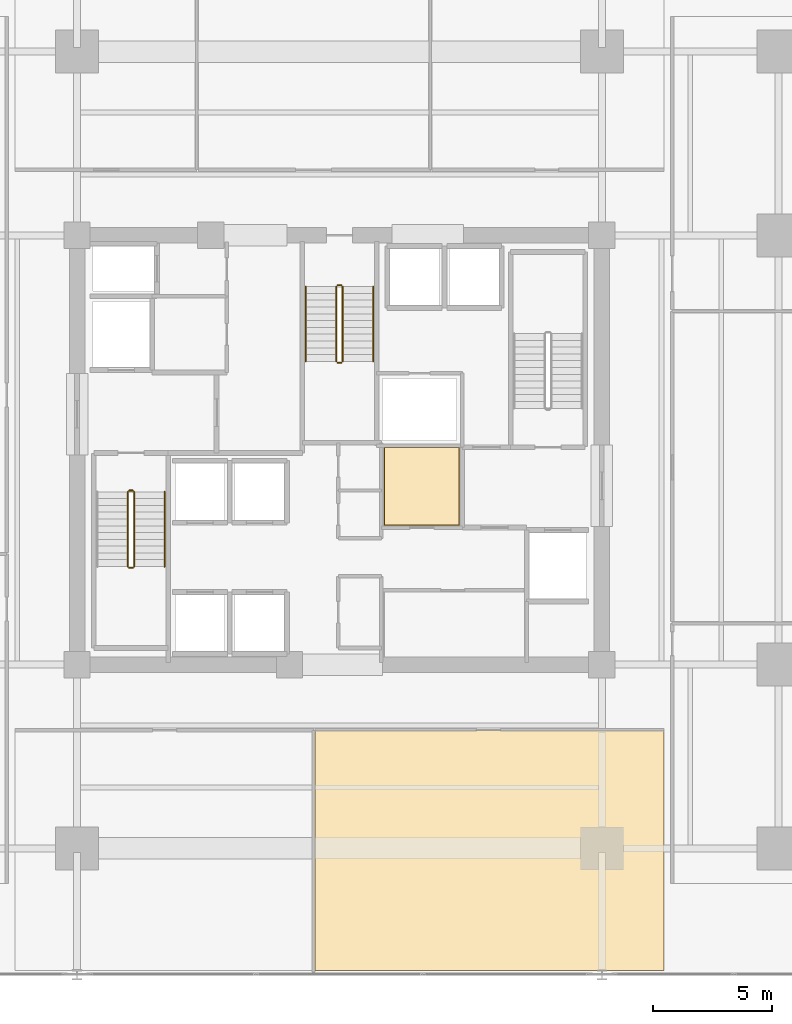
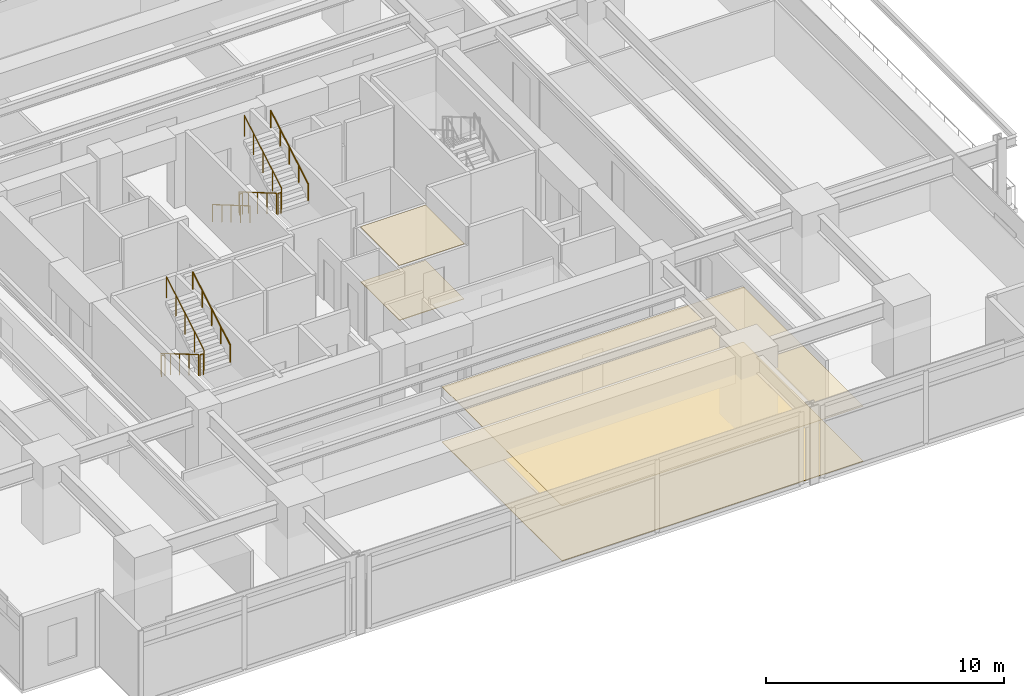
# One storey, part 20 of 22: 11 railings, 4 coverings.
"""IFC4 building model written with IfcOpenShell, lengths in metres."""

from ifc_helpers import new_model, si_unit, direction, frame, origin, origin_2d, place, context, subcontext, project, spatial, polyline, circle, outline, extrude, material, layer, layer_set, type_object, element, save


model = new_model("IFC4")

# Units and contexts
model_context = context("Model", 3, precision=1e-05, world=origin(), true_north=direction((0.0, 1.0)))
body_context = subcontext(model_context, "Body", "Model", "MODEL_VIEW")
ifc_project = project(units=[si_unit("LENGTHUNIT", "METRE"), si_unit("AREAUNIT", "SQUARE_METRE"), si_unit("VOLUMEUNIT", "CUBIC_METRE"), si_unit("PLANEANGLEUNIT", "RADIAN"), si_unit("MASSUNIT", "GRAM", prefix="KILO")], contexts=[model_context])

# Site, building, storey
site_placement = place(None, origin())
site = spatial("IfcSite", under=ifc_project, at=site_placement, CompositionType="ELEMENT")
building_placement = place(site_placement, origin())
building = spatial("IfcBuilding", under=site, at=building_placement, Name="Kovane Verandah Tower", CompositionType="ELEMENT")
storey_placement = place(building_placement, frame((0.0, 0.0, 43.60009765625)))
storey = spatial("IfcBuildingStorey", under=building, at=storey_placement, Name="L09", CompositionType="ELEMENT", Elevation=43.60009765625)

# Coverings
ifc_material_1 = material(Name="Perforated Acoustic Mineral-Fibre Ceiling Tile", Category="gypsum")
ifc_layer_1 = layer(ifc_material_1, 0.02490234375)
ifc_layer_set_1 = layer_set([ifc_layer_1], Name="Perforated Acoustic Mineral-Fibre Ceiling Tile")
covering_type_1 = type_object("IfcCoveringType", Name="CV-CEIL-25", PredefinedType="CEILING", material=ifc_layer_set_1)
covering_1_placement = place(storey_placement, frame((0.0, 0.0, 2.824951171875)))
element("IfcCovering", 1, at=covering_1_placement, inside=storey, type_object=covering_type_1, Name="L09 Document Archive Room Acoustic Ceiling", PredefinedType="CEILING", context=body_context, shape_type="SweptSolid", body=[
    extrude(outline(polyline([(41.864990234375, 24.3349609375), (45.034912109375, 24.3349609375), (45.034912109375, 27.614990234375), (41.864990234375, 27.614990234375), (41.864990234375, 24.3349609375)])), origin(), (0.0, 0.0, 1.0), 0.02490234375),
])
covering_2_placement = place(storey_placement, frame((0.0, 0.0, 2.824951171875)))
element("IfcCovering", 2, at=covering_2_placement, inside=storey, type_object=covering_type_1, Name="L09 Breakout Pantry S2 Acoustic Ceiling", PredefinedType="CEILING", context=body_context, shape_type="SweptSolid", body=[
    extrude(outline(polyline([(38.98193359375, 5.677001953125), (53.60009765625, 5.677001953125), (53.60009765625, 15.75), (38.98193359375, 15.75), (38.98193359375, 5.677001953125)])), origin(), (0.0, 0.0, 1.0), 0.02490234375),
])
ifc_material_2 = material(Name="Polished Terrazzo and Raised-Access Carpet Tile Finish", Category="concrete")
ifc_layer_2 = layer(ifc_material_2, 0.030029296875)
ifc_layer_set_2 = layer_set([ifc_layer_2], Name="Polished Terrazzo and Raised-Access Carpet Tile Finish")
covering_type_2 = type_object("IfcCoveringType", Name="CV-FLOR-30", PredefinedType="FLOORING", material=ifc_layer_set_2)
covering_3_placement = place(storey_placement, origin())
element("IfcCovering", 3, at=covering_3_placement, inside=storey, type_object=covering_type_2, Name="L09 Document Archive Room Floor Finish", PredefinedType="FLOORING", context=body_context, shape_type="SweptSolid", body=[
    extrude(outline(polyline([(41.8798828125, 24.35009765625), (45.02001953125, 24.35009765625), (45.02001953125, 27.60009765625), (41.8798828125, 27.60009765625), (41.8798828125, 24.35009765625)])), origin(), (0.0, 0.0, 1.0), 0.02978515625),
])
covering_4_placement = place(storey_placement, origin())
element("IfcCovering", 4, at=covering_4_placement, inside=storey, type_object=covering_type_2, Name="L09 Breakout Pantry S2 Floor Finish", PredefinedType="FLOORING", context=body_context, shape_type="SweptSolid", body=[
    extrude(outline(polyline([(38.98193359375, 5.677001953125), (53.60009765625, 5.677001953125), (53.60009765625, 15.75), (38.98193359375, 15.75), (38.98193359375, 5.677001953125)])), origin(), (0.0, 0.0, 1.0), 0.02978515625),
])

# Railings
ifc_material_3 = material(Name="Brushed Stainless Steel Handrail", Category="steel")
railing_type_1 = type_object("IfcRailingType", Name="RL-HAND-920", PredefinedType="HANDRAIL", material=ifc_material_3)
railing_1_placement = place(storey_placement, frame((32.669921875, 22.614990234375, 2.16650390625)))
element("IfcRailing", 5, at=railing_1_placement, inside=storey, type_object=railing_type_1, Name="L09 ST-01 stair handrail 2", PredefinedType="HANDRAIL", context=body_context, shape_type="SweptSolid", body=[
    extrude(circle(Radius=0.02392578125, at=origin_2d()), frame((0.0, 0.0, 0.8759765625), z_axis=(0.0, 0.863210265497, 0.504844567704), x_axis=(-1.0, 0.0, 0.0)), (0.0, 0.0, 1.0), 3.6318359375),
    extrude(circle(Radius=0.02099609375, at=origin_2d()), origin(), (0.0, 0.0, 1.0), 0.851806640625),
    extrude(circle(Radius=0.02099609375, at=origin_2d()), frame((0.0, 0.78369140625, 0.45849609375)), (0.0, 0.0, 1.0), 0.851806640625),
    extrude(circle(Radius=0.02099609375, at=origin_2d()), frame((0.0, 1.5673828125, 0.916748046875)), (0.0, 0.0, 1.0), 0.851806640625),
    extrude(circle(Radius=0.02099609375, at=origin_2d()), frame((0.0, 2.351318359375, 1.375)), (0.0, 0.0, 1.0), 0.851806640625),
    extrude(circle(Radius=0.02099609375, at=origin_2d()), frame((0.0, 3.135009765625, 1.83349609375)), (0.0, 0.0, 1.0), 0.851806640625),
])
railing_2_placement = place(storey_placement, frame((38.590087890625, 34.35009765625, 0.16650390625)))
element("IfcRailing", 6, at=railing_2_placement, inside=storey, type_object=railing_type_1, Name="L09 ST-03 stair handrail 1", PredefinedType="HANDRAIL", context=body_context, shape_type="SweptSolid", body=[
    extrude(circle(Radius=0.02392578125, at=origin_2d()), frame((0.0, 0.0, 0.8759765625), z_axis=(0.0, -0.863210265497, 0.504844567704), x_axis=(1.0, 0.0, 0.0)), (0.0, 0.0, 1.0), 3.6318359375),
    extrude(circle(Radius=0.02099609375, at=origin_2d()), origin(), (0.0, 0.0, 1.0), 0.851806640625),
    extrude(circle(Radius=0.02099609375, at=origin_2d()), frame((0.0, -0.78369140625, 0.45849609375)), (0.0, 0.0, 1.0), 0.851806640625),
    extrude(circle(Radius=0.02099609375, at=origin_2d()), frame((0.0, -1.5673828125, 0.916748046875)), (0.0, 0.0, 1.0), 0.851806640625),
    extrude(circle(Radius=0.02099609375, at=origin_2d()), frame((0.0, -2.351318359375, 1.375)), (0.0, 0.0, 1.0), 0.851806640625),
    extrude(circle(Radius=0.02099609375, at=origin_2d()), frame((0.0, -3.135009765625, 1.83349609375)), (0.0, 0.0, 1.0), 0.851806640625),
])
railing_3_placement = place(storey_placement, frame((41.409912109375, 31.215087890625, 2.16650390625)))
element("IfcRailing", 7, at=railing_3_placement, inside=storey, type_object=railing_type_1, Name="L09 ST-03 stair handrail 2", PredefinedType="HANDRAIL", context=body_context, shape_type="SweptSolid", body=[
    extrude(circle(Radius=0.02392578125, at=origin_2d()), frame((0.0, 0.0, 0.8759765625), z_axis=(0.0, 0.863210265497, 0.504844567704), x_axis=(-1.0, 0.0, 0.0)), (0.0, 0.0, 1.0), 3.6318359375),
    extrude(circle(Radius=0.02099609375, at=origin_2d()), origin(), (0.0, 0.0, 1.0), 0.851806640625),
    extrude(circle(Radius=0.02099609375, at=origin_2d()), frame((0.0, 0.78369140625, 0.45849609375)), (0.0, 0.0, 1.0), 0.851806640625),
    extrude(circle(Radius=0.02099609375, at=origin_2d()), frame((0.0, 1.5673828125, 0.916748046875)), (0.0, 0.0, 1.0), 0.851806640625),
    extrude(circle(Radius=0.02099609375, at=origin_2d()), frame((0.0, 2.351318359375, 1.375)), (0.0, 0.0, 1.0), 0.851806640625),
    extrude(circle(Radius=0.02099609375, at=origin_2d()), frame((0.0, 3.135009765625, 1.83349609375)), (0.0, 0.0, 1.0), 0.851806640625),
])
ifc_material_4 = material(Name="Painted Steel Stairwell Guardrail", Category="steel")
railing_type_2 = type_object("IfcRailingType", Name="RL-STGUARD-1120", PredefinedType="GUARDRAIL", material=ifc_material_4)
railing_4_placement = place(storey_placement, frame((31.1298828125, 25.75, 0.16650390625)))
element("IfcRailing", 8, at=railing_4_placement, inside=storey, type_object=railing_type_2, Name="L09 ST-01 stair guard 1", PredefinedType="GUARDRAIL", context=body_context, shape_type="SweptSolid", body=[
    extrude(circle(Radius=0.02392578125, at=origin_2d()), frame((0.0, 0.0, 1.076171875), z_axis=(0.0, -0.863210265497, 0.504844567704), x_axis=(1.0, 0.0, 0.0)), (0.0, 0.0, 1.0), 3.6318359375),
    extrude(circle(Radius=0.02099609375, at=origin_2d()), origin(), (0.0, 0.0, 1.0), 1.052001953125),
    extrude(circle(Radius=0.02099609375, at=origin_2d()), frame((0.0, -0.78369140625, 0.45849609375)), (0.0, 0.0, 1.0), 1.052001953125),
    extrude(circle(Radius=0.02099609375, at=origin_2d()), frame((0.0, -1.5673828125, 0.916748046875)), (0.0, 0.0, 1.0), 1.052001953125),
    extrude(circle(Radius=0.02099609375, at=origin_2d()), frame((0.0, -2.351318359375, 1.375)), (0.0, 0.0, 1.0), 1.052001953125),
    extrude(circle(Radius=0.02099609375, at=origin_2d()), frame((0.0, -3.135009765625, 1.83349609375)), (0.0, 0.0, 1.0), 1.052001953125),
])
railing_5_placement = place(storey_placement, frame((31.179931640625, 22.56494140625, 2.0)))
element("IfcRailing", 9, at=railing_5_placement, inside=storey, type_object=railing_type_2, Name="L09 ST-01 stair guard 2", PredefinedType="GUARDRAIL", context=body_context, shape_type="SweptSolid", body=[
    extrude(circle(Radius=0.02392578125, at=origin_2d()), frame((0.0, 0.0, 1.076171875), z_axis=(1.0, 0.0, 0.0), x_axis=(0.0, 1.0, 0.0)), (0.0, 0.0, 1.0), 0.16015625),
    extrude(circle(Radius=0.02099609375, at=origin_2d()), origin(), (0.0, 0.0, 1.0), 1.052001953125),
    extrude(circle(Radius=0.02099609375, at=origin_2d()), frame((0.16015625, 0.0, 0.0)), (0.0, 0.0, 1.0), 1.052001953125),
])
railing_6_placement = place(storey_placement, frame((31.389892578125, 22.614990234375, 2.16650390625)))
element("IfcRailing", 10, at=railing_6_placement, inside=storey, type_object=railing_type_2, Name="L09 ST-01 stair guard 3", PredefinedType="GUARDRAIL", context=body_context, shape_type="SweptSolid", body=[
    extrude(circle(Radius=0.02392578125, at=origin_2d()), frame((0.0, 0.0, 1.076171875), z_axis=(0.0, 0.863210265497, 0.504844567704), x_axis=(-1.0, 0.0, 0.0)), (0.0, 0.0, 1.0), 3.6318359375),
    extrude(circle(Radius=0.02099609375, at=origin_2d()), origin(), (0.0, 0.0, 1.0), 1.052001953125),
    extrude(circle(Radius=0.02099609375, at=origin_2d()), frame((0.0, 0.78369140625, 0.45849609375)), (0.0, 0.0, 1.0), 1.052001953125),
    extrude(circle(Radius=0.02099609375, at=origin_2d()), frame((0.0, 1.5673828125, 0.916748046875)), (0.0, 0.0, 1.0), 1.052001953125),
    extrude(circle(Radius=0.02099609375, at=origin_2d()), frame((0.0, 2.351318359375, 1.375)), (0.0, 0.0, 1.0), 1.052001953125),
    extrude(circle(Radius=0.02099609375, at=origin_2d()), frame((0.0, 3.135009765625, 1.83349609375)), (0.0, 0.0, 1.0), 1.052001953125),
])
railing_7_placement = place(storey_placement, frame((31.179931640625, 25.800048828125, 0.0)))
element("IfcRailing", 11, at=railing_7_placement, inside=storey, type_object=railing_type_2, Name="L09 ST-01 stair guard 4", PredefinedType="GUARDRAIL", context=body_context, shape_type="SweptSolid", body=[
    extrude(circle(Radius=0.02392578125, at=origin_2d()), frame((0.0, 0.0, 1.076171875), z_axis=(1.0, 0.0, 0.0), x_axis=(0.0, 1.0, 0.0)), (0.0, 0.0, 1.0), 0.16015625),
    extrude(circle(Radius=0.02099609375, at=origin_2d()), origin(), (0.0, 0.0, 1.0), 1.052001953125),
    extrude(circle(Radius=0.02099609375, at=origin_2d()), frame((0.16015625, 0.0, 0.0)), (0.0, 0.0, 1.0), 1.052001953125),
])
railing_8_placement = place(storey_placement, frame((39.8701171875, 34.35009765625, 0.16650390625)))
element("IfcRailing", 12, at=railing_8_placement, inside=storey, type_object=railing_type_2, Name="L09 ST-03 stair guard 1", PredefinedType="GUARDRAIL", context=body_context, shape_type="SweptSolid", body=[
    extrude(circle(Radius=0.02392578125, at=origin_2d()), frame((0.0, 0.0, 1.076171875), z_axis=(0.0, -0.863210265497, 0.504844567704), x_axis=(1.0, 0.0, 0.0)), (0.0, 0.0, 1.0), 3.6318359375),
    extrude(circle(Radius=0.02099609375, at=origin_2d()), origin(), (0.0, 0.0, 1.0), 1.052001953125),
    extrude(circle(Radius=0.02099609375, at=origin_2d()), frame((0.0, -0.78369140625, 0.45849609375)), (0.0, 0.0, 1.0), 1.052001953125),
    extrude(circle(Radius=0.02099609375, at=origin_2d()), frame((0.0, -1.5673828125, 0.916748046875)), (0.0, 0.0, 1.0), 1.052001953125),
    extrude(circle(Radius=0.02099609375, at=origin_2d()), frame((0.0, -2.351318359375, 1.375)), (0.0, 0.0, 1.0), 1.052001953125),
    extrude(circle(Radius=0.02099609375, at=origin_2d()), frame((0.0, -3.135009765625, 1.83349609375)), (0.0, 0.0, 1.0), 1.052001953125),
])
railing_9_placement = place(storey_placement, frame((39.919921875, 31.1650390625, 2.0)))
element("IfcRailing", 13, at=railing_9_placement, inside=storey, type_object=railing_type_2, Name="L09 ST-03 stair guard 2", PredefinedType="GUARDRAIL", context=body_context, shape_type="SweptSolid", body=[
    extrude(circle(Radius=0.02392578125, at=origin_2d()), frame((0.0, 0.0, 1.076171875), z_axis=(1.0, 0.0, 0.0), x_axis=(0.0, 1.0, 0.0)), (0.0, 0.0, 1.0), 0.16015625),
    extrude(circle(Radius=0.02099609375, at=origin_2d()), origin(), (0.0, 0.0, 1.0), 1.052001953125),
    extrude(circle(Radius=0.02099609375, at=origin_2d()), frame((0.16015625, 0.0, 0.0)), (0.0, 0.0, 1.0), 1.052001953125),
])
railing_10_placement = place(storey_placement, frame((40.1298828125, 31.215087890625, 2.16650390625)))
element("IfcRailing", 14, at=railing_10_placement, inside=storey, type_object=railing_type_2, Name="L09 ST-03 stair guard 3", PredefinedType="GUARDRAIL", context=body_context, shape_type="SweptSolid", body=[
    extrude(circle(Radius=0.02392578125, at=origin_2d()), frame((0.0, 0.0, 1.076171875), z_axis=(0.0, 0.863210265497, 0.504844567704), x_axis=(-1.0, 0.0, 0.0)), (0.0, 0.0, 1.0), 3.6318359375),
    extrude(circle(Radius=0.02099609375, at=origin_2d()), origin(), (0.0, 0.0, 1.0), 1.052001953125),
    extrude(circle(Radius=0.02099609375, at=origin_2d()), frame((0.0, 0.78369140625, 0.45849609375)), (0.0, 0.0, 1.0), 1.052001953125),
    extrude(circle(Radius=0.02099609375, at=origin_2d()), frame((0.0, 1.5673828125, 0.916748046875)), (0.0, 0.0, 1.0), 1.052001953125),
    extrude(circle(Radius=0.02099609375, at=origin_2d()), frame((0.0, 2.351318359375, 1.375)), (0.0, 0.0, 1.0), 1.052001953125),
    extrude(circle(Radius=0.02099609375, at=origin_2d()), frame((0.0, 3.135009765625, 1.83349609375)), (0.0, 0.0, 1.0), 1.052001953125),
])
railing_11_placement = place(storey_placement, frame((39.919921875, 34.39990234375, 0.0)))
element("IfcRailing", 15, at=railing_11_placement, inside=storey, type_object=railing_type_2, Name="L09 ST-03 stair guard 4", PredefinedType="GUARDRAIL", context=body_context, shape_type="SweptSolid", body=[
    extrude(circle(Radius=0.02392578125, at=origin_2d()), frame((0.0, 0.0, 1.076171875), z_axis=(1.0, 0.0, 0.0), x_axis=(0.0, 1.0, 0.0)), (0.0, 0.0, 1.0), 0.16015625),
    extrude(circle(Radius=0.02099609375, at=origin_2d()), origin(), (0.0, 0.0, 1.0), 1.052001953125),
    extrude(circle(Radius=0.02099609375, at=origin_2d()), frame((0.16015625, 0.0, 0.0)), (0.0, 0.0, 1.0), 1.052001953125),
])

save(model, "model.ifc")
